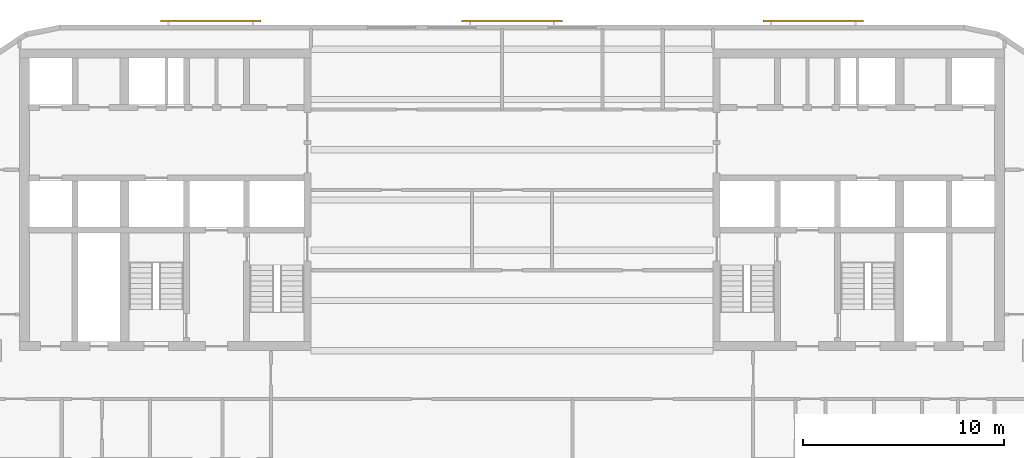
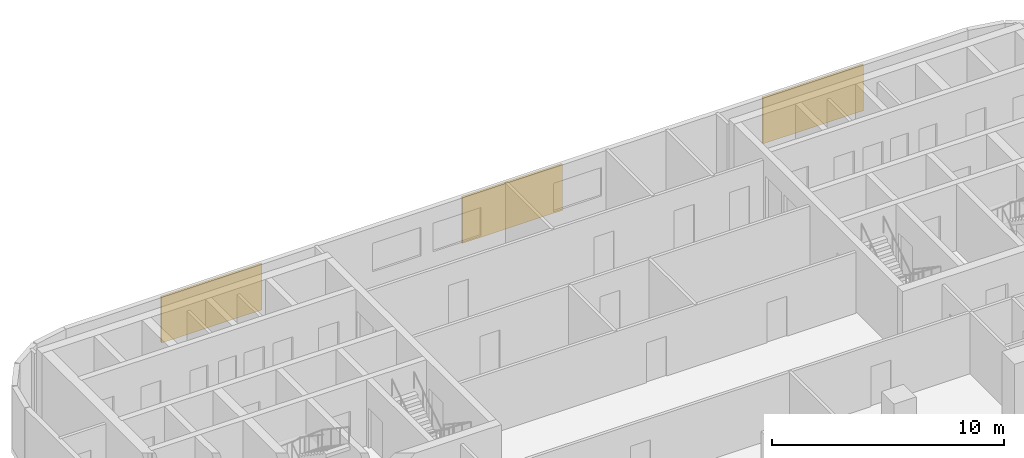
# One storey, part 10 of 11: 3 shading devices.
"""IFC4 building model written with IfcOpenShell, lengths in metres."""

from ifc_helpers import new_model, si_unit, direction, frame, origin, origin_2d, place, context, subcontext, project, spatial, rectangle, extrude, material, layer, layer_set, type_object, element, save


model = new_model("IFC4")

# Units and contexts
model_context = context("Model", 3, precision=1e-05, world=origin(), true_north=direction((0.0, 1.0)))
body_context = subcontext(model_context, "Body", "Model", "MODEL_VIEW")
ifc_project = project(units=[si_unit("LENGTHUNIT", "METRE"), si_unit("AREAUNIT", "SQUARE_METRE"), si_unit("VOLUMEUNIT", "CUBIC_METRE"), si_unit("PLANEANGLEUNIT", "RADIAN"), si_unit("MASSUNIT", "GRAM", prefix="KILO")], contexts=[model_context])

# Site, building, storey
site_placement = place(None, origin())
site = spatial("IfcSite", under=ifc_project, at=site_placement, CompositionType="ELEMENT")
building_placement = place(site_placement, origin())
building = spatial("IfcBuilding", under=site, at=building_placement, Name="Torana Hotel and Residences", CompositionType="ELEMENT")
storey_placement = place(building_placement, frame((0.0, 0.0, 211.60009765625)))
storey = spatial("IfcBuildingStorey", under=building, at=storey_placement, Name="L55", CompositionType="ELEMENT", Elevation=211.60009765625)

# Shading devices
ifc_material = material(Name="Concrete C40/50 precast", Category="concrete")
ifc_layer = layer(ifc_material, 0.10009765625)
ifc_layer_set = layer_set([ifc_layer], Name="SC1 PERFORATED BLOCK SCREEN PANEL 100")
shading_device_type = type_object("IfcShadingDeviceType", Name="SC1 PERFORATED BLOCK SCREEN PANEL 100", PredefinedType="USERDEFINED", material=ifc_layer_set)
for number, where, z_axis, x_axis, name in (
    (1, (14.983642578125, 1.39990234375, 0.5), (0.0, 0.0, 1.0), (-1.0, 0.0, 0.0), "Perforated block screen L55"),
    (2, (0.0, 1.39990234375, 0.5), (0.0, 0.0, 1.0), (-1.0, 0.0, 0.0), "Perforated block screen L55"),
    (3, (-14.983642578125, 1.39990234375, 0.5), (0.0, 0.0, 1.0), (-1.0, 0.0, 0.0), "Perforated block screen L55"),
):
    element("IfcShadingDevice", number, at=place(storey_placement, frame(where, z_axis=z_axis, x_axis=x_axis)), inside=storey, type_object=shading_device_type, Name=name, ObjectType="SCREEN", PredefinedType="USERDEFINED", context=body_context, shape_type="SweptSolid", body=[
        extrude(rectangle(XDim=5.0, YDim=0.10009765625, at=origin_2d()), origin(), (0.0, 0.0, 1.0), 2.419921875),
    ])

save(model, "model.ifc")
